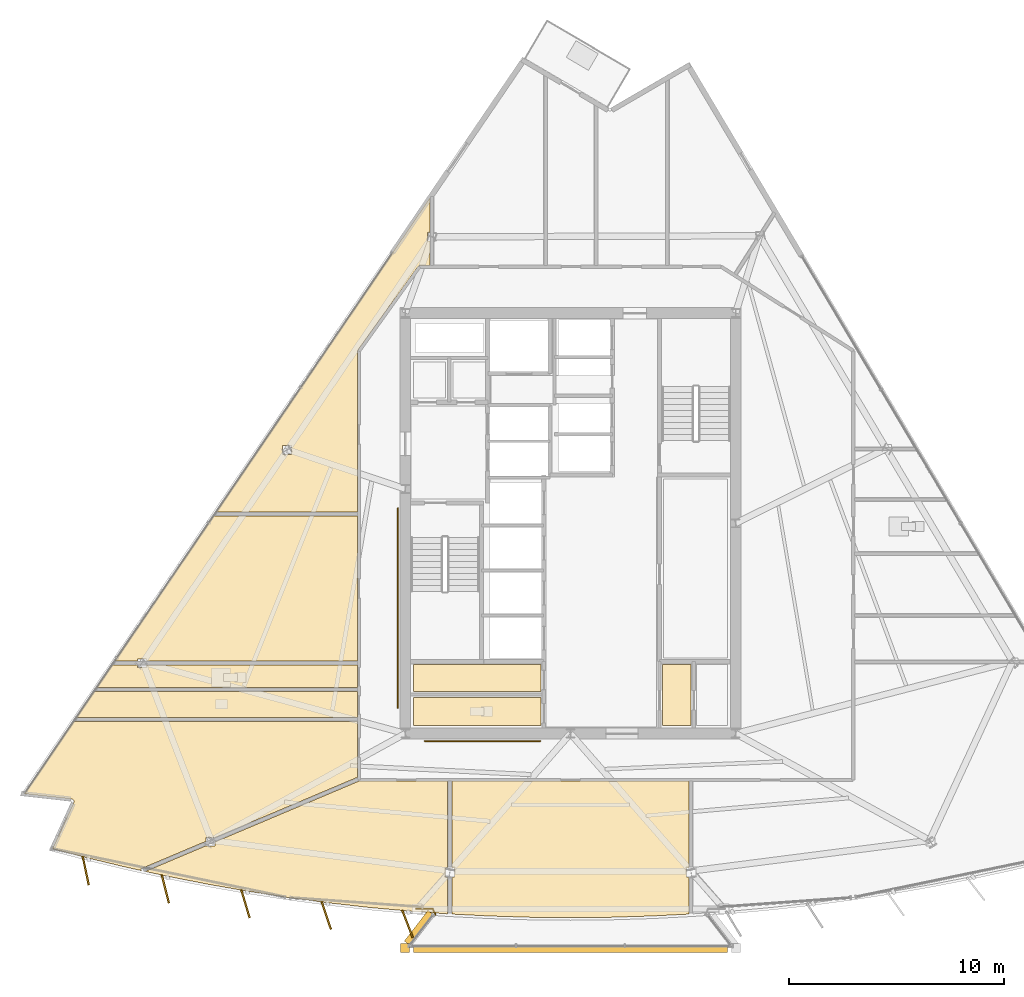
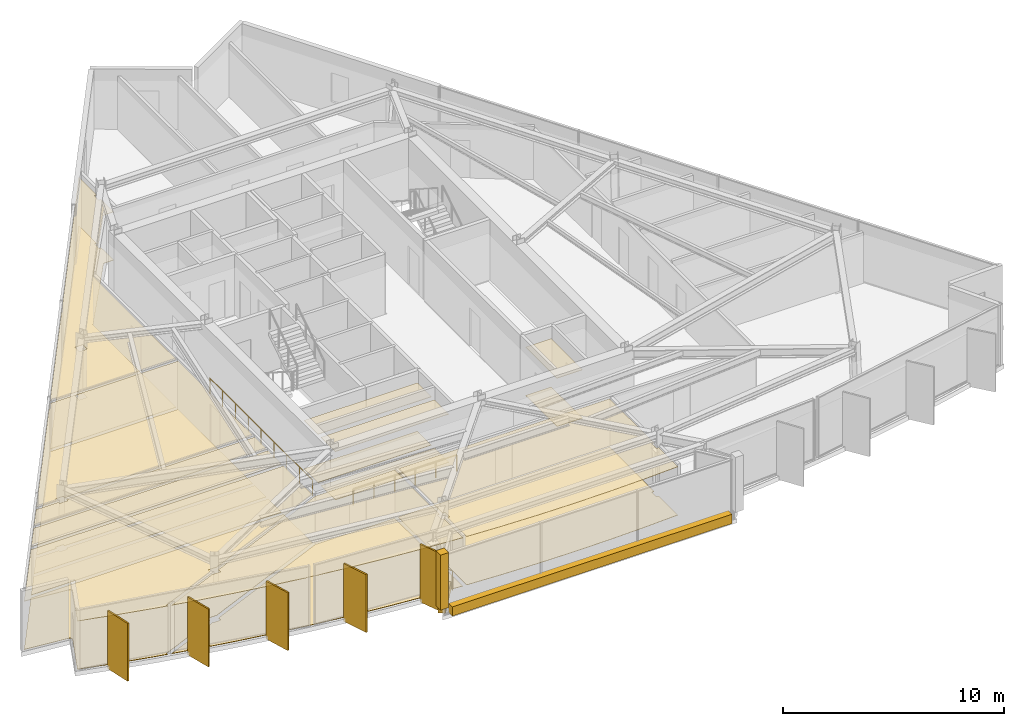
# One storey, part 11 of 14: 23 coverings, 5 shading devices, 3 railings.
"""IFC4 building model written with IfcOpenShell, lengths in metres."""

from ifc_helpers import new_model, si_unit, direction, frame, origin, origin_2d, place, context, subcontext, project, spatial, polyline, rectangle, circle, outline, extrude, material, layer, layer_set, type_object, element, save


model = new_model("IFC4")

# Units and contexts
model_context = context("Model", 3, precision=1e-05, world=origin(), true_north=direction((0.0, 1.0)))
body_context = subcontext(model_context, "Body", "Model", "MODEL_VIEW")
ifc_project = project(units=[si_unit("LENGTHUNIT", "METRE"), si_unit("AREAUNIT", "SQUARE_METRE"), si_unit("VOLUMEUNIT", "CUBIC_METRE"), si_unit("PLANEANGLEUNIT", "RADIAN"), si_unit("MASSUNIT", "GRAM", prefix="KILO")], contexts=[model_context])

# Site, building, storey
site_placement = place(None, origin())
site = spatial("IfcSite", under=ifc_project, at=site_placement, CompositionType="ELEMENT")
building_placement = place(site_placement, origin())
building = spatial("IfcBuilding", under=site, at=building_placement, Name="Savorim Split Tower", CompositionType="ELEMENT")
storey_placement = place(building_placement, frame((0.0, 0.0, 205.5)))
storey = spatial("IfcBuildingStorey", under=building, at=storey_placement, Name="L54", CompositionType="ELEMENT", Elevation=205.5)

# Coverings
ifc_material_1 = material(Name="Mineral Fibre Acoustic Ceiling")
ifc_layer_1 = layer(ifc_material_1, 0.02490234375)
ifc_layer_set_1 = layer_set([ifc_layer_1], Name="COV-CEIL-25")
covering_type_1 = type_object("IfcCoveringType", Name="COV-CEIL-25", PredefinedType="CEILING", material=ifc_layer_set_1)
covering_1_placement = place(storey_placement, frame((0.0, 0.0, 2.669921875)))
element("IfcCovering", 1, at=covering_1_placement, inside=storey, type_object=covering_type_1, Name="L54 Cleaning Store Acoustic Ceiling", PredefinedType="CEILING", context=body_context, shape_type="SweptSolid", body=[
    extrude(outline(polyline([(-7.320068359375, -6.179931640625), (-7.320068359375, -7.43994140625), (-1.3798828125, -7.43994140625), (-1.3798828125, -6.179931640625), (-7.320068359375, -6.179931640625)])), origin(), (0.0, 0.0, 1.0), 0.025146484375),
])
covering_2_placement = place(storey_placement, frame((0.0, 0.0, 2.669921875)))
element("IfcCovering", 2, at=covering_2_placement, inside=storey, type_object=covering_type_1, Name="L54 Public WC Acoustic Ceiling", PredefinedType="CEILING", context=body_context, shape_type="SweptSolid", body=[
    extrude(outline(polyline([(-7.320068359375, -7.719970703125), (-7.320068359375, -9.02001953125), (-1.3798828125, -9.02001953125), (-1.3798828125, -7.719970703125), (-7.320068359375, -7.719970703125)])), origin(), (0.0, 0.0, 1.0), 0.025146484375),
])
covering_3_placement = place(storey_placement, frame((0.0, 0.0, 2.669921875)))
element("IfcCovering", 3, at=covering_3_placement, inside=storey, type_object=covering_type_1, Name="L54 Vending Pantry Acoustic Ceiling", PredefinedType="CEILING", context=body_context, shape_type="SweptSolid", body=[
    extrude(outline(polyline([(4.280029296875, -6.179931640625), (4.280029296875, -9.02001953125), (5.6201171875, -9.02001953125), (5.6201171875, -6.179931640625), (4.280029296875, -6.179931640625)])), origin(), (0.0, 0.0, 1.0), 0.025146484375),
])
covering_4_placement = place(storey_placement, frame((0.0, 0.0, 2.669921875)))
element("IfcCovering", 4, at=covering_4_placement, inside=storey, type_object=covering_type_1, Name="L54 Co-Working Commons Acoustic Ceiling", PredefinedType="CEILING", context=body_context, shape_type="SweptSolid", body=[
    extrude(outline(polyline([(-19.768310546875, -5.915771484375), (-19.768310546875, -6.024169921875), (-9.919921875, -6.024169921875), (-9.919921875, 0.739501953125), (-16.641845703125, 0.73974609375), (-21.2431640625, -6.024169921875), (-20.186279296875, -6.024169921875), (-20.186279296875, -5.915771484375), (-19.768310546875, -5.915771484375)])), origin(), (0.0, 0.0, 1.0), 0.025146484375),
])
covering_5_placement = place(storey_placement, frame((0.0, 0.0, 2.669921875)))
element("IfcCovering", 5, at=covering_5_placement, inside=storey, type_object=covering_type_1, Name="L54 Shared Bathroom Acoustic Ceiling", PredefinedType="CEILING", context=body_context, shape_type="SweptSolid", body=[
    extrude(outline(polyline([(-21.247314453125, -6.214111328125), (-21.34228515625, -6.214111328125), (-21.34228515625, -6.169921875), (-22.07373046875, -7.245361328125), (-9.919921875, -7.245361328125), (-9.919921875, -6.214111328125), (-19.768310546875, -6.214111328125), (-19.768310546875, -6.32275390625), (-20.186279296875, -6.32275390625), (-20.186279296875, -6.214111328125), (-21.247314453125, -6.214111328125)])), origin(), (0.0, 0.0, 1.0), 0.025146484375),
])
covering_6_placement = place(storey_placement, frame((0.0, 0.0, 2.669921875)))
element("IfcCovering", 6, at=covering_6_placement, inside=storey, type_object=covering_type_1, Name="L54 Shared Kitchen Acoustic Ceiling", PredefinedType="CEILING", context=body_context, shape_type="SweptSolid", body=[
    extrude(outline(polyline([(-9.919921875, -8.641845703125), (-9.919921875, -7.435302734375), (-22.203125, -7.435302734375), (-23.023681640625, -8.641845703125), (-9.919921875, -8.641845703125)])), origin(), (0.0, 0.0, 1.0), 0.025146484375),
])
covering_7_placement = place(storey_placement, frame((0.0, 0.0, 2.669921875)))
element("IfcCovering", 7, at=covering_7_placement, inside=storey, type_object=covering_type_1, Name="L54 Co-Working Commons Acoustic Ceiling", PredefinedType="CEILING", context=body_context, shape_type="SweptSolid", body=[
    extrude(outline(polyline([(-23.14306640625, -12.561279296875), (-23.142822265625, -12.572998046875), (-23.143798828125, -12.5849609375), (-23.14599609375, -12.5966796875), (-23.149169921875, -12.608154296875), (-23.15380859375, -12.619384765625), (-24.1416015625, -14.769775390625), (-22.450439453125, -15.2119140625), (-20.61279296875, -15.652587890625), (-19.990234375, -15.78857421875), (-20.02490234375, -15.706298828125), (-16.9921875, -14.42431640625), (-16.9921875, -14.235595703125), (-16.57421875, -14.235595703125), (-16.57421875, -14.247802734375), (-9.9462890625, -11.446044921875), (-9.919921875, -11.434814453125), (-9.919921875, -8.831787109375), (-23.153076171875, -8.831787109375), (-25.447509765625, -12.20458984375), (-23.24951171875, -12.449951171875), (-23.237548828125, -12.451904296875), (-23.22607421875, -12.454833984375), (-23.21484375, -12.458984375), (-23.2041015625, -12.46435546875), (-23.194091796875, -12.470703125), (-23.184814453125, -12.47802734375), (-23.176025390625, -12.486328125), (-23.168212890625, -12.495361328125), (-23.161376953125, -12.5048828125), (-23.155517578125, -12.515380859375), (-23.150634765625, -12.5263671875), (-23.14697265625, -12.53759765625), (-23.144287109375, -12.54931640625), (-23.14306640625, -12.561279296875)])), origin(), (0.0, 0.0, 1.0), 0.025146484375),
])
covering_8_placement = place(storey_placement, frame((0.0, 0.0, 2.669921875)))
element("IfcCovering", 8, at=covering_8_placement, inside=storey, type_object=covering_type_1, Name="L54 Communal Lounge Acoustic Ceiling", PredefinedType="CEILING", context=body_context, shape_type="SweptSolid", body=[
    extrude(outline(polyline([(-13.18359375, -17.03662109375), (-11.310302734375, -17.287109375), (-9.4326171875, -17.49951171875), (-7.55078125, -17.673095703125), (-5.719970703125, -17.804443359375), (-5.719970703125, -16.075439453125), (-5.833984375, -16.075439453125), (-5.833984375, -15.66845703125), (-5.719970703125, -15.66845703125), (-5.719970703125, -11.6201171875), (-9.780029296875, -11.6201171875), (-9.793701171875, -11.619384765625), (-9.807373046875, -11.6171875), (-9.820556640625, -11.614013671875), (-9.83349609375, -11.609375), (-9.8388671875, -11.60693359375), (-16.57421875, -14.4541015625), (-16.57421875, -14.642578125), (-16.9921875, -14.642578125), (-16.9921875, -14.630615234375), (-19.8193359375, -15.82568359375), (-18.7666015625, -16.055419921875), (-16.912353515625, -16.420654296875), (-15.051025390625, -16.74755859375), (-13.18359375, -17.03662109375)])), origin(), (0.0, 0.0, 1.0), 0.025146484375),
])
covering_9_placement = place(storey_placement, frame((0.0, 0.0, 2.669921875)))
element("IfcCovering", 9, at=covering_9_placement, inside=storey, type_object=covering_type_1, Name="L54 Co-Working Commons Acoustic Ceiling", PredefinedType="CEILING", context=body_context, shape_type="SweptSolid", body=[
    extrude(outline(polyline([(-1.8896484375, -17.962890625), (0.0, -17.982421875), (1.8896484375, -17.962890625), (3.778564453125, -17.905029296875), (5.52978515625, -17.8154296875), (5.52978515625, -16.075439453125), (5.416015625, -16.075439453125), (5.416015625, -15.66845703125), (5.52978515625, -15.66845703125), (5.52978515625, -11.6201171875), (-5.52978515625, -11.6201171875), (-5.52978515625, -15.66845703125), (-5.416015625, -15.66845703125), (-5.416015625, -16.075439453125), (-5.52978515625, -16.075439453125), (-5.52978515625, -17.760498046875), (-5.52978515625, -17.8154296875), (-3.778564453125, -17.905029296875), (-1.8896484375, -17.962890625)])), origin(), (0.0, 0.0, 1.0), 0.025146484375),
])
covering_10_placement = place(storey_placement, frame((0.0, 0.0, 2.669921875)))
element("IfcCovering", 10, at=covering_10_placement, inside=storey, type_object=covering_type_1, Name="L54 Co-Working Commons Acoustic Ceiling", PredefinedType="CEILING", context=body_context, shape_type="SweptSolid", body=[
    extrude(outline(polyline([(-7.01318359375, 12.41943359375), (-7.0, 12.419921875), (-6.550537109375, 12.419921875), (-6.550537109375, 13.55419921875), (-6.66455078125, 13.55419921875), (-6.66455078125, 13.961181640625), (-6.550537109375, 13.961181640625), (-6.550537109375, 15.57373046875), (-16.5126953125, 0.9296875), (-9.919921875, 0.9296875), (-9.919921875, 8.39990234375), (-9.919189453125, 8.41455078125), (-9.9169921875, 8.4287109375), (-9.913330078125, 8.44287109375), (-9.908203125, 8.456298828125), (-9.901611328125, 8.46923828125), (-9.893798828125, 8.4814453125), (-7.11376953125, 12.361572265625), (-7.105712890625, 12.3720703125), (-7.096435546875, 12.381591796875), (-7.086181640625, 12.39013671875), (-7.075439453125, 12.39794921875), (-7.06396484375, 12.404541015625), (-7.052001953125, 12.409912109375), (-7.039306640625, 12.414306640625), (-7.0263671875, 12.41748046875), (-7.01318359375, 12.41943359375)]), holes=[polyline([(-13.42529296875, 4.022705078125), (-13.42529296875, 3.61572265625), (-13.00732421875, 3.61572265625), (-13.00732421875, 4.022705078125), (-13.42529296875, 4.022705078125)])]), origin(), (0.0, 0.0, 1.0), 0.025146484375),
])
ifc_material_2 = material(Name="Porcelain Stoneware Flooring", Category="masonry")
ifc_layer_2 = layer(ifc_material_2, 0.02001953125)
ifc_layer_set_2 = layer_set([ifc_layer_2], Name="COV-FLOR-20")
covering_type_2 = type_object("IfcCoveringType", Name="COV-FLOR-20", PredefinedType="FLOORING", material=ifc_layer_set_2)
covering_11_placement = place(storey_placement, origin())
element("IfcCovering", 11, at=covering_11_placement, inside=storey, type_object=covering_type_2, Name="L54 Cleaning Store Porcelain Flooring", PredefinedType="FLOORING", context=body_context, shape_type="SweptSolid", body=[
    extrude(outline(polyline([(-7.320068359375, -6.179931640625), (-7.320068359375, -7.43994140625), (-1.3798828125, -7.43994140625), (-1.3798828125, -6.179931640625), (-7.320068359375, -6.179931640625)])), origin(), (0.0, 0.0, 1.0), 0.02001953125),
])
covering_12_placement = place(storey_placement, origin())
element("IfcCovering", 12, at=covering_12_placement, inside=storey, type_object=covering_type_2, Name="L54 Public WC Porcelain Flooring", PredefinedType="FLOORING", context=body_context, shape_type="SweptSolid", body=[
    extrude(outline(polyline([(-7.320068359375, -7.719970703125), (-7.320068359375, -9.02001953125), (-1.3798828125, -9.02001953125), (-1.3798828125, -7.719970703125), (-7.320068359375, -7.719970703125)])), origin(), (0.0, 0.0, 1.0), 0.02001953125),
])
covering_13_placement = place(storey_placement, origin())
element("IfcCovering", 13, at=covering_13_placement, inside=storey, type_object=covering_type_2, Name="L54 Vending Pantry Porcelain Flooring", PredefinedType="FLOORING", context=body_context, shape_type="SweptSolid", body=[
    extrude(outline(polyline([(4.280029296875, -6.179931640625), (4.280029296875, -9.02001953125), (5.6201171875, -9.02001953125), (5.6201171875, -6.179931640625), (4.280029296875, -6.179931640625)])), origin(), (0.0, 0.0, 1.0), 0.02001953125),
])
covering_14_placement = place(storey_placement, origin())
element("IfcCovering", 14, at=covering_14_placement, inside=storey, type_object=covering_type_2, Name="L54 Co-Working Commons Porcelain Flooring", PredefinedType="FLOORING", context=body_context, shape_type="SweptSolid", body=[
    extrude(outline(polyline([(-19.768310546875, -5.915771484375), (-19.768310546875, -6.024169921875), (-9.919921875, -6.024169921875), (-9.919921875, 0.739501953125), (-16.641845703125, 0.73974609375), (-21.2431640625, -6.024169921875), (-20.186279296875, -6.024169921875), (-20.186279296875, -5.915771484375), (-19.768310546875, -5.915771484375)])), origin(), (0.0, 0.0, 1.0), 0.02001953125),
])
covering_15_placement = place(storey_placement, origin())
element("IfcCovering", 15, at=covering_15_placement, inside=storey, type_object=covering_type_2, Name="L54 Shared Bathroom Porcelain Flooring", PredefinedType="FLOORING", context=body_context, shape_type="SweptSolid", body=[
    extrude(outline(polyline([(-21.247314453125, -6.214111328125), (-21.34228515625, -6.214111328125), (-21.34228515625, -6.169921875), (-22.07373046875, -7.245361328125), (-9.919921875, -7.245361328125), (-9.919921875, -6.214111328125), (-19.768310546875, -6.214111328125), (-19.768310546875, -6.32275390625), (-20.186279296875, -6.32275390625), (-20.186279296875, -6.214111328125), (-21.247314453125, -6.214111328125)])), origin(), (0.0, 0.0, 1.0), 0.02001953125),
])
covering_16_placement = place(storey_placement, origin())
element("IfcCovering", 16, at=covering_16_placement, inside=storey, type_object=covering_type_2, Name="L54 Shared Kitchen Porcelain Flooring", PredefinedType="FLOORING", context=body_context, shape_type="SweptSolid", body=[
    extrude(outline(polyline([(-9.919921875, -8.641845703125), (-9.919921875, -7.435302734375), (-22.203125, -7.435302734375), (-23.023681640625, -8.641845703125), (-9.919921875, -8.641845703125)])), origin(), (0.0, 0.0, 1.0), 0.02001953125),
])
covering_17_placement = place(storey_placement, origin())
element("IfcCovering", 17, at=covering_17_placement, inside=storey, type_object=covering_type_2, Name="L54 Co-Working Commons Porcelain Flooring", PredefinedType="FLOORING", context=body_context, shape_type="SweptSolid", body=[
    extrude(outline(polyline([(-23.14306640625, -12.561279296875), (-23.142822265625, -12.572998046875), (-23.143798828125, -12.5849609375), (-23.14599609375, -12.5966796875), (-23.149169921875, -12.608154296875), (-23.15380859375, -12.619384765625), (-24.1416015625, -14.769775390625), (-22.450439453125, -15.2119140625), (-20.61279296875, -15.652587890625), (-19.990234375, -15.78857421875), (-20.02490234375, -15.706298828125), (-16.9921875, -14.42431640625), (-16.9921875, -14.235595703125), (-16.57421875, -14.235595703125), (-16.57421875, -14.247802734375), (-9.9462890625, -11.446044921875), (-9.919921875, -11.434814453125), (-9.919921875, -8.831787109375), (-23.153076171875, -8.831787109375), (-25.447509765625, -12.20458984375), (-23.24951171875, -12.449951171875), (-23.237548828125, -12.451904296875), (-23.22607421875, -12.454833984375), (-23.21484375, -12.458984375), (-23.2041015625, -12.46435546875), (-23.194091796875, -12.470703125), (-23.184814453125, -12.47802734375), (-23.176025390625, -12.486328125), (-23.168212890625, -12.495361328125), (-23.161376953125, -12.5048828125), (-23.155517578125, -12.515380859375), (-23.150634765625, -12.5263671875), (-23.14697265625, -12.53759765625), (-23.144287109375, -12.54931640625), (-23.14306640625, -12.561279296875)])), origin(), (0.0, 0.0, 1.0), 0.02001953125),
])
covering_18_placement = place(storey_placement, origin())
element("IfcCovering", 18, at=covering_18_placement, inside=storey, type_object=covering_type_2, Name="L54 Communal Lounge Porcelain Flooring", PredefinedType="FLOORING", context=body_context, shape_type="SweptSolid", body=[
    extrude(outline(polyline([(-13.18359375, -17.03662109375), (-11.310302734375, -17.287109375), (-9.4326171875, -17.49951171875), (-7.55078125, -17.673095703125), (-5.719970703125, -17.804443359375), (-5.719970703125, -16.075439453125), (-5.833984375, -16.075439453125), (-5.833984375, -15.66845703125), (-5.719970703125, -15.66845703125), (-5.719970703125, -11.6201171875), (-9.780029296875, -11.6201171875), (-9.793701171875, -11.619384765625), (-9.807373046875, -11.6171875), (-9.820556640625, -11.614013671875), (-9.83349609375, -11.609375), (-9.8388671875, -11.60693359375), (-16.57421875, -14.4541015625), (-16.57421875, -14.642578125), (-16.9921875, -14.642578125), (-16.9921875, -14.630615234375), (-19.8193359375, -15.82568359375), (-18.7666015625, -16.055419921875), (-16.912353515625, -16.420654296875), (-15.051025390625, -16.74755859375), (-13.18359375, -17.03662109375)])), origin(), (0.0, 0.0, 1.0), 0.02001953125),
])
covering_19_placement = place(storey_placement, origin())
element("IfcCovering", 19, at=covering_19_placement, inside=storey, type_object=covering_type_2, Name="L54 Co-Working Commons Porcelain Flooring", PredefinedType="FLOORING", context=body_context, shape_type="SweptSolid", body=[
    extrude(outline(polyline([(-1.8896484375, -17.962890625), (0.0, -17.982421875), (1.8896484375, -17.962890625), (3.778564453125, -17.905029296875), (5.52978515625, -17.8154296875), (5.52978515625, -16.075439453125), (5.416015625, -16.075439453125), (5.416015625, -15.66845703125), (5.52978515625, -15.66845703125), (5.52978515625, -11.6201171875), (-5.52978515625, -11.6201171875), (-5.52978515625, -15.66845703125), (-5.416015625, -15.66845703125), (-5.416015625, -16.075439453125), (-5.52978515625, -16.075439453125), (-5.52978515625, -17.760498046875), (-5.52978515625, -17.8154296875), (-3.778564453125, -17.905029296875), (-1.8896484375, -17.962890625)])), origin(), (0.0, 0.0, 1.0), 0.02001953125),
])
covering_20_placement = place(storey_placement, origin())
element("IfcCovering", 20, at=covering_20_placement, inside=storey, type_object=covering_type_2, Name="L54 Co-Working Commons Porcelain Flooring", PredefinedType="FLOORING", context=body_context, shape_type="SweptSolid", body=[
    extrude(outline(polyline([(-7.01318359375, 12.41943359375), (-7.0, 12.419921875), (-6.550537109375, 12.419921875), (-6.550537109375, 13.55419921875), (-6.66455078125, 13.55419921875), (-6.66455078125, 13.961181640625), (-6.550537109375, 13.961181640625), (-6.550537109375, 15.57373046875), (-16.5126953125, 0.9296875), (-9.919921875, 0.9296875), (-9.919921875, 8.39990234375), (-9.919189453125, 8.41455078125), (-9.9169921875, 8.4287109375), (-9.913330078125, 8.44287109375), (-9.908203125, 8.456298828125), (-9.901611328125, 8.46923828125), (-9.893798828125, 8.4814453125), (-7.11376953125, 12.361572265625), (-7.105712890625, 12.3720703125), (-7.096435546875, 12.381591796875), (-7.086181640625, 12.39013671875), (-7.075439453125, 12.39794921875), (-7.06396484375, 12.404541015625), (-7.052001953125, 12.409912109375), (-7.039306640625, 12.414306640625), (-7.0263671875, 12.41748046875), (-7.01318359375, 12.41943359375)]), holes=[polyline([(-13.42529296875, 4.022705078125), (-13.42529296875, 3.61572265625), (-13.00732421875, 3.61572265625), (-13.00732421875, 4.022705078125), (-13.42529296875, 4.022705078125)])]), origin(), (0.0, 0.0, 1.0), 0.02001953125),
])
ifc_material_3 = material(Name="White Porcelain Architectural Cladding")
ifc_layer_3 = layer(ifc_material_3, 0.139892578125)
ifc_layer_set_3 = layer_set([ifc_layer_3], Name="COV-FRM-WHITE")
covering_type_3 = type_object("IfcCoveringType", Name="COV-FRM-WHITE", PredefinedType="CLADDING", material=ifc_layer_set_3)
covering_21_placement = place(storey_placement, frame((0.0, 0.0, 0.010009765625)))
element("IfcCovering", 21, at=covering_21_placement, inside=storey, type_object=covering_type_3, Name="L54 Cantilevered Lounge White Lower Frame Band W", PredefinedType="CLADDING", context=body_context, shape_type="SweptSolid", body=[
    extrude(outline(polyline([(-6.642822265625, -17.64697265625), (-7.74267578125, -19.07177734375), (-7.473388671875, -19.279541015625), (-6.37353515625, -17.8544921875), (-6.642822265625, -17.64697265625)])), origin(), (0.0, 0.0, 1.0), 0.510009765625),
])
covering_22_placement = place(storey_placement, frame((0.0, 0.0, 0.010009765625)))
element("IfcCovering", 22, at=covering_22_placement, inside=storey, type_object=covering_type_3, Name="L54 Cantilevered Lounge White Lower Frame Band F", PredefinedType="CLADDING", context=body_context, shape_type="SweptSolid", body=[
    extrude(outline(polyline([(-7.31494140625, -19.6162109375), (7.31494140625, -19.6162109375), (7.31494140625, -19.276123046875), (-7.31494140625, -19.276123046875), (-7.31494140625, -19.6162109375)])), origin(), (0.0, 0.0, 1.0), 0.510009765625),
])
covering_23_placement = place(storey_placement, frame((0.0, 0.0, 0.5400390625)))
element("IfcCovering", 23, at=covering_23_placement, inside=storey, type_object=covering_type_3, Name="L54 Cantilevered Lounge White Frame Corner Post 1", PredefinedType="CLADDING", context=body_context, shape_type="SweptSolid", body=[
    extrude(outline(polyline([(-7.925048828125, -19.606201171875), (-7.5048828125, -19.606201171875), (-7.5048828125, -19.186279296875), (-7.925048828125, -19.186279296875), (-7.925048828125, -19.606201171875)])), origin(), (0.0, 0.0, 1.0), 3.050048828125),
])

# Railings
ifc_material_4 = material(Name="Galvanised Painted Steel Balustrade", Category="steel")
railing_type_1 = type_object("IfcRailingType", Name="RLG-BAL-1100", PredefinedType="BALUSTRADE", material=ifc_material_4)
railing_1_placement = place(storey_placement, frame((-7.19970703125, -17.568115234375, 0.0)))
element("IfcRailing", 24, at=railing_1_placement, inside=storey, type_object=railing_type_1, Name="L54 Cantilevered Lounge West Edge Closure Guard", PredefinedType="BALUSTRADE", context=body_context, shape_type="SweptSolid", body=[
    extrude(circle(Radius=0.02392578125, at=origin_2d()), frame((0.0, 0.0, 1.076171875), z_axis=(1.0, 0.0, 0.0), x_axis=(0.0, 1.0, 0.0)), (0.0, 0.0, 1.0), 0.780029296875),
    extrude(circle(Radius=0.02392578125, at=origin_2d()), frame((0.780029296875, 0.0, 1.076171875), z_axis=(0.429434058601, -0.90309821687, 0.0), x_axis=(0.90309821687, 0.429434058601, 0.0)), (0.0, 0.0, 1.0), 0.303466796875),
    extrude(circle(Radius=0.02099609375, at=origin_2d()), origin(), (0.0, 0.0, 1.0), 1.052001953125),
    extrude(circle(Radius=0.02099609375, at=origin_2d()), frame((0.780029296875, 0.0, 0.0)), (0.0, 0.0, 1.0), 1.052001953125),
    extrude(circle(Radius=0.02099609375, at=origin_2d()), frame((0.910400390625, -0.274169921875, 0.0)), (0.0, 0.0, 1.0), 1.052001953125),
])
railing_type_2 = type_object("IfcRailingType", Name="RLG-HR-900", PredefinedType="HANDRAIL", material=ifc_material_4)
railing_2_placement = place(storey_placement, frame((-6.800048828125, -9.75, 0.0)))
element("IfcRailing", 25, at=railing_2_placement, inside=storey, type_object=railing_type_2, Name="L54 Corridor South Accessible Handrail", PredefinedType="HANDRAIL", context=body_context, shape_type="SweptSolid", body=[
    extrude(circle(Radius=0.02392578125, at=origin_2d()), frame((0.0, 0.0, 0.8759765625), z_axis=(1.0, 0.0, 0.0), x_axis=(0.0, 1.0, 0.0)), (0.0, 0.0, 1.0), 5.400146484375),
    extrude(circle(Radius=0.02099609375, at=origin_2d()), origin(), (0.0, 0.0, 1.0), 0.851806640625),
    extrude(circle(Radius=0.02099609375, at=origin_2d()), frame((1.080078125, 0.0, 0.0)), (0.0, 0.0, 1.0), 0.851806640625),
    extrude(circle(Radius=0.02099609375, at=origin_2d()), frame((2.16015625, 0.0, 0.0)), (0.0, 0.0, 1.0), 0.851806640625),
    extrude(circle(Radius=0.02099609375, at=origin_2d()), frame((3.239990234375, 0.0, 0.0)), (0.0, 0.0, 1.0), 0.851806640625),
    extrude(circle(Radius=0.02099609375, at=origin_2d()), frame((4.320068359375, 0.0, 0.0)), (0.0, 0.0, 1.0), 0.851806640625),
    extrude(circle(Radius=0.02099609375, at=origin_2d()), frame((5.400146484375, 0.0, 0.0)), (0.0, 0.0, 1.0), 0.851806640625),
])
railing_3_placement = place(storey_placement, frame((-8.050048828125, -8.199951171875, 0.0)))
element("IfcRailing", 26, at=railing_3_placement, inside=storey, type_object=railing_type_2, Name="L54 Corridor West Accessible Handrail", PredefinedType="HANDRAIL", context=body_context, shape_type="SweptSolid", body=[
    extrude(circle(Radius=0.02392578125, at=origin_2d()), frame((0.0, 0.0, 0.8759765625), z_axis=(0.0, 1.0, 0.0), x_axis=(-1.0, 0.0, 0.0)), (0.0, 0.0, 1.0), 9.300048828125),
    extrude(circle(Radius=0.02099609375, at=origin_2d()), origin(), (0.0, 0.0, 1.0), 0.851806640625),
    extrude(circle(Radius=0.02099609375, at=origin_2d()), frame((0.0, 1.16259765625, 0.0)), (0.0, 0.0, 1.0), 0.851806640625),
    extrude(circle(Radius=0.02099609375, at=origin_2d()), frame((0.0, 2.324951171875, 0.0)), (0.0, 0.0, 1.0), 0.851806640625),
    extrude(circle(Radius=0.02099609375, at=origin_2d()), frame((0.0, 3.487548828125, 0.0)), (0.0, 0.0, 1.0), 0.851806640625),
    extrude(circle(Radius=0.02099609375, at=origin_2d()), frame((0.0, 4.64990234375, 0.0)), (0.0, 0.0, 1.0), 0.851806640625),
    extrude(circle(Radius=0.02099609375, at=origin_2d()), frame((0.0, 5.8125, 0.0)), (0.0, 0.0, 1.0), 0.851806640625),
    extrude(circle(Radius=0.02099609375, at=origin_2d()), frame((0.0, 6.97509765625, 0.0)), (0.0, 0.0, 1.0), 0.851806640625),
    extrude(circle(Radius=0.02099609375, at=origin_2d()), frame((0.0, 8.137451171875, 0.0)), (0.0, 0.0, 1.0), 0.851806640625),
    extrude(circle(Radius=0.02099609375, at=origin_2d()), frame((0.0, 9.300048828125, 0.0)), (0.0, 0.0, 1.0), 0.851806640625),
])

# Shading devices
ifc_material_5 = material(Name="Terracotta Ceramic-Coated Aluminium Fin", Category="masonry")
shading_device_type = type_object("IfcShadingDeviceType", Name="SHD-FIN-1360", PredefinedType="USERDEFINED", material=ifc_material_5)
for number, where, z_axis, x_axis, name in (
    (27, (-22.595458984375, -15.7900390625, -0.2001953125), (0.0, 0.0, 1.0), (0.206721626106, -0.978399800337, 0.0), "L54 Sawtooth Shading Fin 01"),
    (28, (-18.8876953125, -16.63916015625, -0.2001953125), (0.0, 0.0, 1.0), (0.246581250663, -0.969122121727, 0.0), "L54 Sawtooth Shading Fin 02"),
    (29, (-15.148193359375, -17.335693359375, -0.2001953125), (0.0, 0.0, 1.0), (0.286026212504, -0.958221793616, 0.0), "L54 Sawtooth Shading Fin 03"),
    (30, (-11.38330078125, -17.878662109375, -0.2001953125), (0.0, 0.0, 1.0), (0.324993810493, -0.945716143005, 0.0), "L54 Sawtooth Shading Fin 04"),
    (31, (-7.599609375, -18.26708984375, -0.2001953125), (0.0, 0.0, 1.0), (0.363415461732, -0.931627179817, 0.0), "L54 Sawtooth Shading Fin 05"),
):
    element("IfcShadingDevice", number, at=place(storey_placement, frame(where, z_axis=z_axis, x_axis=x_axis)), inside=storey, type_object=shading_device_type, Name=name, ObjectType="FIN", PredefinedType="USERDEFINED", context=body_context, shape_type="SweptSolid", body=[
        extrude(rectangle(XDim=1.360107421875, YDim=0.080078125, at=origin_2d()), origin(), (0.0, 0.0, 1.0), 3.199951171875),
    ])

save(model, "model.ifc")
